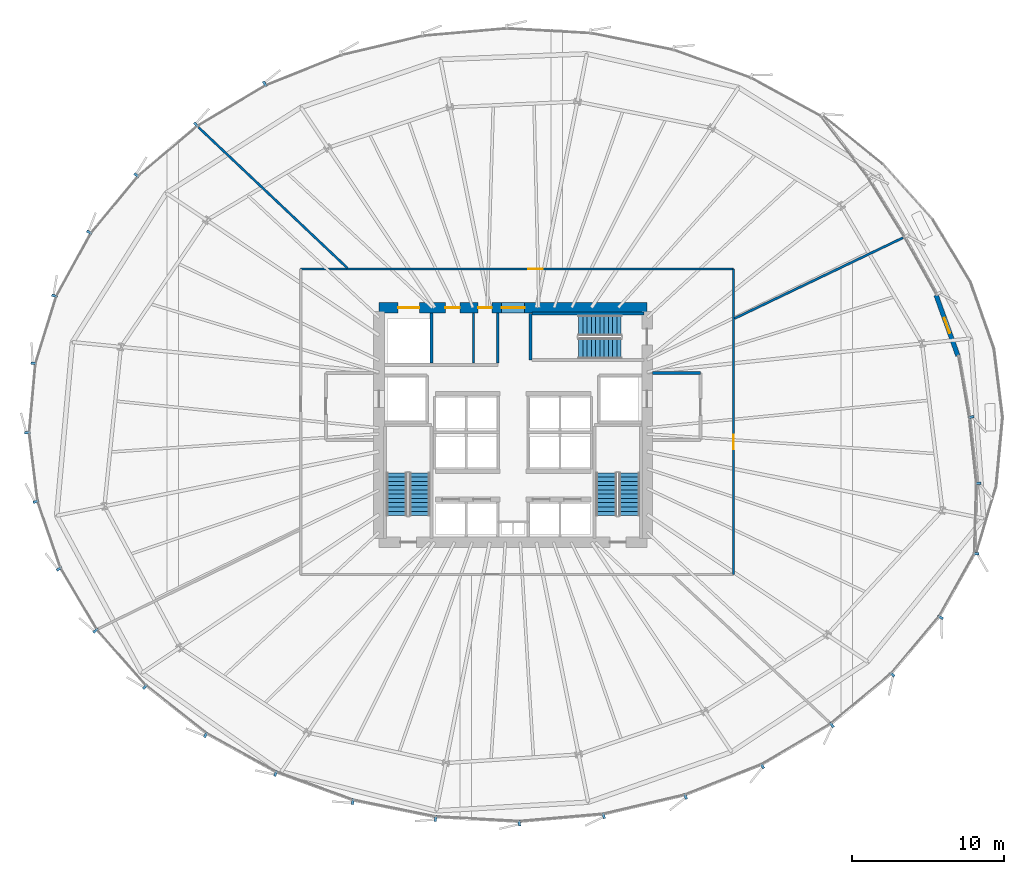
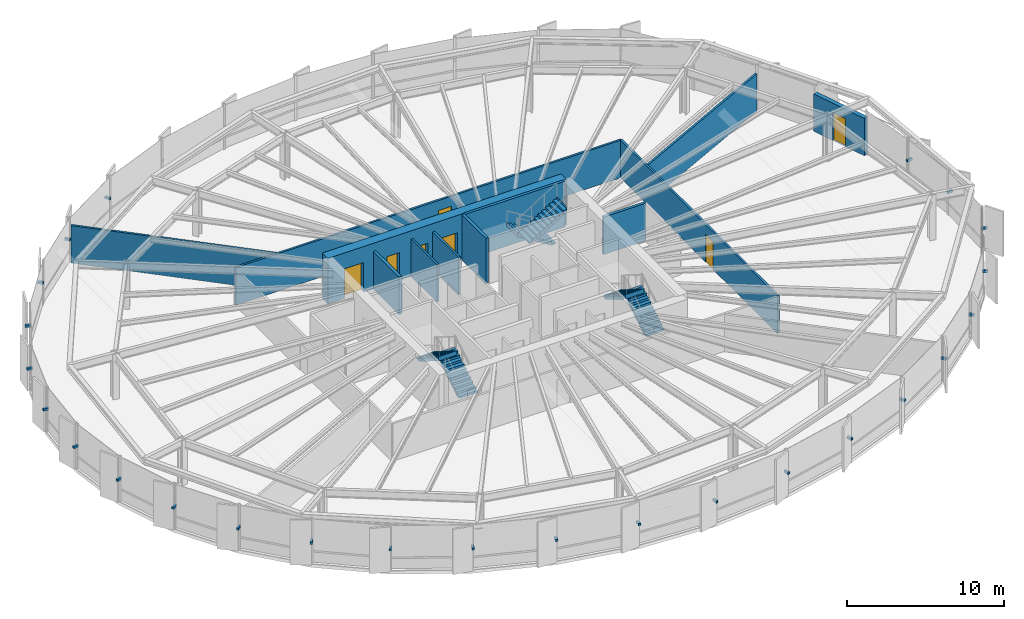
# One storey, part 32 of 39: 25 discrete accessories, 12 walls, 7 doors, 6 stair flights, 7 openings, 3 elements without a shape of their own.
"""IFC4 building model written with IfcOpenShell, lengths in metres."""

from ifc_helpers import new_model, si_unit, direction, frame, frame_2d, origin, origin_2d, place, context, subcontext, project, spatial, polyline, rectangle, outline, extrude, source, transform, mapped, material, layer, layer_set, type_object, element, fill, aggregate, save


model = new_model("IFC4")

# Units and contexts
model_context = context("Model", 3, precision=1e-05, world=origin(), true_north=direction((0.0, 1.0)))
body_context = subcontext(model_context, "Body", "Model", "MODEL_VIEW")
ifc_project = project(units=[si_unit("LENGTHUNIT", "METRE"), si_unit("AREAUNIT", "SQUARE_METRE"), si_unit("VOLUMEUNIT", "CUBIC_METRE"), si_unit("PLANEANGLEUNIT", "RADIAN"), si_unit("MASSUNIT", "GRAM", prefix="KILO"), si_unit("THERMODYNAMICTEMPERATUREUNIT", "KELVIN")], contexts=[model_context])

# Site, building, storey
site_placement = place(None, origin())
site = spatial("IfcSite", under=ifc_project, at=site_placement, CompositionType="ELEMENT")
building_placement = place(site_placement, origin())
building = spatial("IfcBuilding", under=site, at=building_placement, Name="Kethvar Cultural Tower", CompositionType="ELEMENT")
storey_placement = place(building_placement, frame((0.0, 0.0, 33.39990234375)))
storey = spatial("IfcBuildingStorey", under=building, at=storey_placement, Name="L07", CompositionType="ELEMENT", Elevation=33.39990234375)

# Wall, openings, doors
ifc_material_1 = material(Name="Concrete C60/75", Category="concrete")
ifc_layer_1 = layer(ifc_material_1, 0.699951171875, Name="Concrete C60/75", Category="concrete")
ifc_layer_set_1 = layer_set([ifc_layer_1], Name="Concrete C60/75 (700 mm)")
wall_type_1 = type_object("IfcWallType", Name="WL-CORE-700", PredefinedType="SHEAR", material=ifc_layer_set_1)
wall_1_placement = place(storey_placement, frame((55.60009765625, 35.5, 0.0), z_axis=(0.0, 0.0, 1.0), x_axis=(-1.0, 0.0, 0.0)))
wall_1 = element("IfcWall", 1, at=wall_1_placement, inside=storey, type_object=wall_type_1, Name="L07 Core Shear Wall N", PredefinedType="SHEAR", context=body_context, shape_type="SweptSolid", body=[
    extrude(rectangle(XDim=17.60009765625, YDim=0.699951171875, at=frame_2d((8.800048828125, 0.0))), origin(), (0.0, 0.0, 1.0), 3.550048828125),
])
opening_1_placement = place(wall_1_placement, frame((8.050048828125, 0.0, 0.0)))
opening_1 = element("IfcOpeningElement", 2, at=opening_1_placement, cuts=wall_1, Name="Opening D-L07-LN", PredefinedType="OPENING", context=body_context, shape_type="SweptSolid", body=[
    extrude(rectangle(XDim=1.5, YDim=2.199951171875, at=frame_2d((0.75, 1.10009765625))), frame((0.0, 0.35986328125, 0.0), z_axis=(0.0, -1.0, 0.0), x_axis=(1.0, 0.0, 0.0)), (0.0, 0.0, 1.0), 0.719970703125),
])
opening_2_placement = place(wall_1_placement, frame((14.949951171875, 0.0, 0.0)))
opening_2 = element("IfcOpeningElement", 3, at=opening_2_placement, cuts=wall_1, Name="Opening LD-G1", PredefinedType="OPENING", context=body_context, shape_type="SweptSolid", body=[
    extrude(rectangle(XDim=1.39990234375, YDim=2.300048828125, at=frame_2d((0.699951171875, 1.14990234375))), frame((0.0, 0.35986328125, 0.0), z_axis=(0.0, -1.0, 0.0), x_axis=(1.0, 0.0, 0.0)), (0.0, 0.0, 1.0), 0.719970703125),
])
opening_3_placement = place(wall_1_placement, frame((12.300048828125, 0.0, 0.0)))
opening_3 = element("IfcOpeningElement", 4, at=opening_3_placement, cuts=wall_1, Name="Opening D-L07-W1", PredefinedType="OPENING", context=body_context, shape_type="SweptSolid", body=[
    extrude(rectangle(XDim=0.949951171875, YDim=2.14990234375, at=frame_2d((0.47509765625, 1.074951171875))), frame((0.0, 0.35986328125, 0.0), z_axis=(0.0, -1.0, 0.0), x_axis=(1.0, 0.0, 0.0)), (0.0, 0.0, 1.0), 0.719970703125),
])
opening_4_placement = place(wall_1_placement, frame((10.199951171875, 0.0, 0.0)))
opening_4 = element("IfcOpeningElement", 5, at=opening_4_placement, cuts=wall_1, Name="Opening D-L07-W2", PredefinedType="OPENING", context=body_context, shape_type="SweptSolid", body=[
    extrude(rectangle(XDim=0.89990234375, YDim=2.14990234375, at=frame_2d((0.449951171875, 1.074951171875))), frame((0.0, 0.35986328125, 0.0), z_axis=(0.0, -1.0, 0.0), x_axis=(1.0, 0.0, 0.0)), (0.0, 0.0, 1.0), 0.719970703125),
])
ifc_material_2 = material(Name="Architectural Oak Timber", Category="wood")
door_type_1 = type_object("IfcDoorType", Name="DR-DBL-FD60-1500", OperationType="DOUBLE_DOOR_SINGLE_SWING", PredefinedType="DOOR", material=ifc_material_2)
shared_shape_1 = source(origin(), body_context, "Body", "SweptSolid", [
    extrude(rectangle(XDim=1.5, YDim=2.199951171875, at=frame_2d((0.75, 1.10009765625))), frame((0.0, 0.02490234375, 0.0), z_axis=(0.0, -1.0, 0.0), x_axis=(1.0, 0.0, 0.0)), (0.0, 0.0, 1.0), 0.050048828125),
])
door_1_placement = place(opening_1_placement, origin())
door_1 = element("IfcDoor", 6, at=door_1_placement, inside=storey, type_object=door_type_1, Name="L07 Lift Lobby Concourse Door", OperationType="DOUBLE_DOOR_SINGLE_SWING", OverallHeight=2.199951171875, OverallWidth=1.5, PredefinedType="DOOR", context=body_context, shape_type="MappedRepresentation", body=[
    mapped(shared_shape_1, transform((0.0, 0.0, 0.0), scale=1.0)),
])
fill(opening_1, door_1)
ifc_material_3 = material(Name="Steel S355J2", Category="steel")
door_type_2 = type_object("IfcDoorType", Name="DR-LIFT-SLIDE-1400", OperationType="NOTDEFINED", PredefinedType="DOOR", material=ifc_material_3)
shared_shape_2 = source(origin(), body_context, "Body", "SweptSolid", [
    extrude(rectangle(XDim=1.39990234375, YDim=2.300048828125, at=frame_2d((0.699951171875, 1.14990234375))), frame((0.0, 0.02490234375, 0.0), z_axis=(0.0, -1.0, 0.0), x_axis=(1.0, 0.0, 0.0)), (0.0, 0.0, 1.0), 0.050048828125),
])
door_2_placement = place(opening_2_placement, origin())
door_2 = element("IfcDoor", 7, at=door_2_placement, inside=storey, type_object=door_type_2, Name="L07 Goods Lift Landing Door", OperationType="SLIDING_TO_RIGHT", OverallHeight=2.300048828125, OverallWidth=1.39990234375, PredefinedType="DOOR", context=body_context, shape_type="MappedRepresentation", body=[
    mapped(shared_shape_2, transform((0.0, 0.0, 0.0), scale=1.0)),
])
fill(opening_2, door_2)
door_type_3 = type_object("IfcDoorType", Name="DR-FD30-950", OperationType="NOTDEFINED", PredefinedType="DOOR", material=ifc_material_2)
shared_shape_3 = source(origin(), body_context, "Body", "SweptSolid", [
    extrude(rectangle(XDim=0.949951171875, YDim=2.14990234375, at=frame_2d((0.47509765625, 1.074951171875))), frame((0.0, 0.02490234375, 0.0), z_axis=(0.0, -1.0, 0.0), x_axis=(1.0, 0.0, 0.0)), (0.0, 0.0, 1.0), 0.050048828125),
])
door_3_placement = place(opening_3_placement, origin())
door_3 = element("IfcDoor", 8, at=door_3_placement, inside=storey, type_object=door_type_3, Name="L07 Public Washroom Door", OperationType="SINGLE_SWING_LEFT", OverallHeight=2.14990234375, OverallWidth=0.949951171875, PredefinedType="DOOR", context=body_context, shape_type="MappedRepresentation", body=[
    mapped(shared_shape_3, transform((0.0, 0.0, 0.0), scale=1.0)),
])
fill(opening_3, door_3)
door_type_4 = type_object("IfcDoorType", Name="DR-FD30-900", OperationType="NOTDEFINED", PredefinedType="DOOR", material=ifc_material_2)
shared_shape_4 = source(origin(), body_context, "Body", "SweptSolid", [
    extrude(rectangle(XDim=0.89990234375, YDim=2.14990234375, at=frame_2d((0.449951171875, 1.074951171875))), frame((0.0, 0.02490234375, 0.0), z_axis=(0.0, -1.0, 0.0), x_axis=(1.0, 0.0, 0.0)), (0.0, 0.0, 1.0), 0.050048828125),
])
door_4_placement = place(opening_4_placement, origin())
door_4 = element("IfcDoor", 9, at=door_4_placement, inside=storey, type_object=door_type_4, Name="L07 Accessible Washroom Door", OperationType="SINGLE_SWING_RIGHT", OverallHeight=2.14990234375, OverallWidth=0.89990234375, PredefinedType="DOOR", context=body_context, shape_type="MappedRepresentation", body=[
    mapped(shared_shape_4, transform((0.0, 0.0, 0.0), scale=1.0)),
])
fill(opening_4, door_4)

# Wall, opening, door
ifc_material_4 = material(Name="Concrete C40/50", Category="concrete")
ifc_layer_2 = layer(ifc_material_4, 0.300048828125, Name="Concrete C40/50", Category="concrete")
ifc_layer_set_2 = layer_set([ifc_layer_2], Name="Concrete C40/50 (300 mm)")
wall_type_2 = type_object("IfcWallType", Name="WL-EXT-TER-300", PredefinedType="SOLIDWALL", material=ifc_layer_set_2)
wall_2_placement = place(storey_placement, frame((74.57470703125, 36.32275390625, 0.0), z_axis=(0.0, 0.0, 1.0), x_axis=(0.338388639347, -0.941006444591, 0.0)))
wall_2 = element("IfcWall", 10, at=wall_2_placement, inside=storey, type_object=wall_type_2, Name="L07 Sky Terrace Access Wall", PredefinedType="SOLIDWALL", context=body_context, shape_type="SweptSolid", body=[
    extrude(rectangle(XDim=4.233642578125, YDim=0.300048828125, at=frame_2d((2.11669921875, 0.0))), origin(), (0.0, 0.0, 1.0), 2.925048828125),
])
opening_5_placement = place(wall_2_placement, frame((1.591796875, 0.0, 0.0)))
opening_5 = element("IfcOpeningElement", 11, at=opening_5_placement, cuts=wall_2, Name="Opening D-L07-T1", PredefinedType="OPENING", context=body_context, shape_type="SweptSolid", body=[
    extrude(rectangle(XDim=1.050048828125, YDim=2.199951171875, at=frame_2d((0.52490234375, 1.10009765625))), frame((0.0, 0.159912109375, 0.0), z_axis=(0.0, -1.0, 0.0), x_axis=(1.0, 0.0, 0.0)), (0.0, 0.0, 1.0), 0.320068359375),
])
ifc_material_5 = material(Name="Aluminium 6063-T6", Category="aluminium")
door_type_5 = type_object("IfcDoorType", Name="DR-EXT-TER-1050", OperationType="NOTDEFINED", PredefinedType="DOOR", material=ifc_material_5)
shared_shape_5 = source(origin(), body_context, "Body", "SweptSolid", [
    extrude(rectangle(XDim=1.050048828125, YDim=2.199951171875, at=frame_2d((0.52490234375, 1.10009765625))), frame((0.0, 0.02490234375, 0.0), z_axis=(0.0, -1.0, 0.0), x_axis=(1.0, 0.0, 0.0)), (0.0, 0.0, 1.0), 0.050048828125),
])
door_5_placement = place(opening_5_placement, origin())
door_5 = element("IfcDoor", 12, at=door_5_placement, inside=storey, type_object=door_type_5, Name="L07 Sky Terrace Access Door D-L07-T1", OperationType="SINGLE_SWING_RIGHT", OverallHeight=2.199951171875, OverallWidth=1.050048828125, PredefinedType="DOOR", context=body_context, shape_type="MappedRepresentation", body=[
    mapped(shared_shape_5, transform((0.0, 0.0, 0.0), scale=1.0)),
])
fill(opening_5, door_5)

# Wall
ifc_material_6 = material(Name="Gypsum Fireboard Partition")
ifc_layer_3 = layer(ifc_material_6, 0.14990234375, Name="Gypsum Fireboard Partition")
ifc_layer_set_3 = layer_set([ifc_layer_3], Name="Gypsum Fireboard Partition (150 mm)")
wall_type_3 = type_object("IfcWallType", Name="WL-FIRE-150", PredefinedType="PARTITIONING", material=ifc_layer_set_3)
wall_3_placement = place(storey_placement, frame((45.800048828125, 31.85009765625, 0.0), z_axis=(0.0, 0.0, 1.0), x_axis=(0.0, 1.0, 0.0)))
element("IfcWall", 13, at=wall_3_placement, inside=storey, type_object=wall_type_3, Name="L07 Sanitary Spine Wall", PredefinedType="PARTITIONING", context=body_context, shape_type="SweptSolid", body=[
    extrude(rectangle(XDim=3.289794921875, YDim=0.14990234375, at=frame_2d((1.64501953125, 0.0))), origin(), (0.0, 0.0, 1.0), 2.925048828125),
])

# Wall, opening, door
wall_4_placement = place(storey_placement, frame((61.27001953125, 17.97998046875, 0.0), z_axis=(0.0, 0.0, 1.0), x_axis=(0.0, 1.0, 0.0)))
wall_4 = element("IfcWall", 14, at=wall_4_placement, inside=storey, type_object=wall_type_3, Name="L07 Corridor Rated Wall E", PredefinedType="PARTITIONING", context=body_context, shape_type="SweptSolid", body=[
    extrude(rectangle(XDim=20.06005859375, YDim=0.14990234375, at=frame_2d((10.030029296875, 0.0))), origin(), (0.0, 0.0, 1.0), 2.925048828125),
])
opening_6_placement = place(wall_4_placement, frame((8.217041015625, 0.0, 0.0)))
opening_6 = element("IfcOpeningElement", 15, at=opening_6_placement, cuts=wall_4, Name="Opening D-L07-02", PredefinedType="OPENING", context=body_context, shape_type="SweptSolid", body=[
    extrude(rectangle(XDim=0.949951171875, YDim=2.14990234375, at=frame_2d((0.47509765625, 1.074951171875))), frame((0.0, 0.0849609375, 0.0), z_axis=(0.0, -1.0, 0.0), x_axis=(1.0, 0.0, 0.0)), (0.0, 0.0, 1.0), 0.169921875),
])
door_6_placement = place(opening_6_placement, origin())
door_6 = element("IfcDoor", 16, at=door_6_placement, inside=storey, type_object=door_type_3, Name="L07 Sculpture Media Salon 02 Door", OperationType="SINGLE_SWING_LEFT", OverallHeight=2.14990234375, OverallWidth=0.949951171875, PredefinedType="DOOR", context=body_context, shape_type="MappedRepresentation", body=[
    mapped(shared_shape_3, transform((0.0, 0.0, 0.0), scale=1.0)),
])
fill(opening_6, door_6)

wall_5_placement = place(storey_placement, frame((61.27001953125, 38.0400390625, 0.0), z_axis=(0.0, 0.0, 1.0), x_axis=(-1.0, 0.0, 0.0)))
wall_5 = element("IfcWall", 17, at=wall_5_placement, inside=storey, type_object=wall_type_3, Name="L07 Corridor Rated Wall N", PredefinedType="PARTITIONING", context=body_context, shape_type="SweptSolid", body=[
    extrude(rectangle(XDim=28.419921875, YDim=0.14990234375, at=frame_2d((14.2099609375, 0.0))), origin(), (0.0, 0.0, 1.0), 2.925048828125),
])
opening_7_placement = place(wall_5_placement, frame((12.521728515625, 0.0, 0.0)))
opening_7 = element("IfcOpeningElement", 18, at=opening_7_placement, cuts=wall_5, Name="Opening D-L07-03", PredefinedType="OPENING", context=body_context, shape_type="SweptSolid", body=[
    extrude(rectangle(XDim=0.949951171875, YDim=2.14990234375, at=frame_2d((0.47509765625, 1.074951171875))), frame((0.0, 0.0849609375, 0.0), z_axis=(0.0, -1.0, 0.0), x_axis=(1.0, 0.0, 0.0)), (0.0, 0.0, 1.0), 0.169921875),
])
door_7_placement = place(opening_7_placement, origin())
door_7 = element("IfcDoor", 19, at=door_7_placement, inside=storey, type_object=door_type_3, Name="L07 Collection Archive Storage 03 Door", OperationType="SINGLE_SWING_RIGHT", OverallHeight=2.14990234375, OverallWidth=0.949951171875, PredefinedType="DOOR", context=body_context, shape_type="MappedRepresentation", body=[
    mapped(shared_shape_3, transform((0.0, 0.0, 0.0), scale=1.0)),
])
fill(opening_7, door_7)

# Walls
ifc_layer_4 = layer(ifc_material_4, 0.199951171875, Name="Concrete C40/50", Category="concrete")
ifc_layer_set_4 = layer_set([ifc_layer_4], Name="Concrete C40/50 (200 mm)")
wall_type_4 = type_object("IfcWallType", Name="WL-FIRE-200", PredefinedType="PARTITIONING", material=ifc_layer_set_4)
wall_6_placement = place(storey_placement, frame((55.9599609375, 31.199951171875, 0.0), z_axis=(0.0, 0.0, 1.0), x_axis=(1.0, 0.0, 0.0)))
element("IfcWall", 20, at=wall_6_placement, inside=storey, type_object=wall_type_4, Name="L07 FF Lobby 2 North Wall", PredefinedType="PARTITIONING", context=body_context, shape_type="SweptSolid", body=[
    extrude(rectangle(XDim=3.14013671875, YDim=0.199951171875, at=frame_2d((1.570068359375, 0.0))), origin(), (0.0, 0.0, 1.0), 2.925048828125),
])
wall_7_placement = place(storey_placement, frame((41.449951171875, 31.85009765625, 0.0), z_axis=(0.0, 0.0, 1.0), x_axis=(0.0, 1.0, 0.0)))
element("IfcWall", 21, at=wall_7_placement, inside=storey, type_object=wall_type_4, Name="L07 NW Core Pocket Wall", PredefinedType="PARTITIONING", context=body_context, shape_type="SweptSolid", body=[
    extrude(rectangle(XDim=3.289794921875, YDim=0.199951171875, at=frame_2d((1.64501953125, 0.0))), origin(), (0.0, 0.0, 1.0), 2.925048828125),
])
ifc_material_7 = material(Name="Gypsum Acoustic Partition")
ifc_layer_5 = layer(ifc_material_7, 0.14990234375, Name="Gypsum Acoustic Partition")
ifc_layer_set_5 = layer_set([ifc_layer_5], Name="Gypsum Acoustic Partition (150 mm)")
wall_type_5 = type_object("IfcWallType", Name="WL-PART-150", PredefinedType="PARTITIONING", material=ifc_layer_set_5)
wall_8_placement = place(storey_placement, frame((61.342041015625, 34.7880859375, 0.0), z_axis=(0.0, 0.0, 1.0), x_axis=(0.901775597837, 0.432204547808, 0.0)))
element("IfcWall", 22, at=wall_8_placement, inside=storey, type_object=wall_type_5, Name="L07 Radial Partition Wall 03", PredefinedType="PARTITIONING", context=body_context, shape_type="SweptSolid", body=[
    extrude(rectangle(XDim=12.257080078125, YDim=0.14990234375, at=frame_2d((6.12841796875, 0.0))), origin(), (0.0, 0.0, 1.0), 2.925048828125),
])
wall_9_placement = place(storey_placement, frame((35.92578125, 38.094970703125, 0.0), z_axis=(0.0, 0.0, 1.0), x_axis=(-0.726850560668, 0.686795648251, 0.0)))
element("IfcWall", 23, at=wall_9_placement, inside=storey, type_object=wall_type_5, Name="L07 Radial Partition Wall 04", PredefinedType="PARTITIONING", context=body_context, shape_type="SweptSolid", body=[
    extrude(rectangle(XDim=13.451904296875, YDim=0.14990234375, at=frame_2d((6.72607421875, 0.0))), origin(), (0.0, 0.0, 1.0), 2.925048828125),
])
ifc_material_8 = material(Name="Moisture-Resistant Sanitary Chase Wall")
ifc_layer_6 = layer(ifc_material_8, 0.14990234375, Name="Moisture-Resistant Sanitary Chase Wall")
ifc_layer_set_6 = layer_set([ifc_layer_6], Name="Moisture-Resistant Sanitary Chase Wall (150 mm)")
wall_type_6 = type_object("IfcWallType", Name="WL-PLUMB-150", PredefinedType="PLUMBINGWALL", material=ifc_layer_set_6)
wall_10_placement = place(storey_placement, frame((44.199951171875, 31.85009765625, 0.0), z_axis=(0.0, 0.0, 1.0), x_axis=(0.0, 1.0, 0.0)))
element("IfcWall", 24, at=wall_10_placement, inside=storey, type_object=wall_type_6, Name="L07 Sanitary Plumbing Wall", PredefinedType="PLUMBINGWALL", context=body_context, shape_type="SweptSolid", body=[
    extrude(rectangle(XDim=3.289794921875, YDim=0.14990234375, at=frame_2d((1.64501953125, 0.0))), origin(), (0.0, 0.0, 1.0), 2.925048828125),
])
ifc_material_9 = material(Name="Concrete C50/60", Category="concrete")
ifc_layer_7 = layer(ifc_material_9, 0.199951171875, Name="Concrete C50/60", Category="concrete")
ifc_layer_set_7 = layer_set([ifc_layer_7], Name="Concrete C50/60 (200 mm)")
wall_type_7 = type_object("IfcWallType", Name="WL-STSHAFT-200", PredefinedType="SHEAR", material=ifc_layer_set_7)
wall_11_placement = place(storey_placement, frame((47.949951171875, 32.050048828125, 0.0), z_axis=(0.0, 0.0, 1.0), x_axis=(0.0, 1.0, 0.0)))
element("IfcWall", 25, at=wall_11_placement, inside=storey, type_object=wall_type_7, Name="L07 ST-03 Stair Shaft Wall FAR", PredefinedType="SHEAR", context=body_context, shape_type="SweptSolid", body=[
    extrude(rectangle(XDim=3.06005859375, YDim=0.199951171875, at=frame_2d((1.530029296875, 0.0))), origin(), (0.0, 0.0, 1.0), 3.550048828125),
])
wall_12_placement = place(storey_placement, frame((48.050048828125, 35.110107421875, 0.0), z_axis=(0.0, 0.0, 1.0), x_axis=(1.0, 0.0, 0.0)))
element("IfcWall", 26, at=wall_12_placement, inside=storey, type_object=wall_type_7, Name="L07 ST-03 Stair Shaft Wall LEFT", PredefinedType="SHEAR", context=body_context, shape_type="SweptSolid", body=[
    extrude(rectangle(XDim=7.349853515625, YDim=0.199951171875, at=frame_2d((3.6748046875, 0.0))), origin(), (0.0, 0.0, 1.0), 3.550048828125),
])

# Stair, stair flights
stair_type = type_object("IfcStairType", Name="ST-DOGLEG-135", PredefinedType="HALF_TURN_STAIR", material=ifc_material_4)
stair_1_placement = place(storey_placement, origin())
stair_1 = element("IfcStair", 27, at=stair_1_placement, inside=storey, type_object=stair_type, Name="L07 Core Exit Stair 1", PredefinedType="HALF_TURN_STAIR")
stair_flight_type = type_object("IfcStairFlightType", Name="FL-STRAIGHT-135", PredefinedType="STRAIGHT", material=ifc_material_4)
stair_flight_1_placement = place(storey_placement, frame((40.675048828125, 21.85009765625, 0.0), z_axis=(0.0, 0.0, 1.0), x_axis=(0.0, 1.0, 0.0)))
stair_flight_1 = element("IfcStairFlight", 28, at=stair_flight_1_placement, type_object=stair_flight_type, Name="ST-01 flight 1", NumberOfRisers=11, NumberOfTreads=10, PredefinedType="STRAIGHT", RiserHeight=0.172727273, TreadLength=0.28, context=body_context, shape_type="SweptSolid", body=[
    extrude(outline(polyline([(-0.0009765625, -0.0009765625), (-0.0009765625, 0.172607421875), (0.280029296875, 0.172607421875), (0.280029296875, 0.345458984375), (0.56005859375, 0.345458984375), (0.56005859375, 0.51806640625), (0.840087890625, 0.51806640625), (0.840087890625, 0.69091796875), (1.1201171875, 0.69091796875), (1.1201171875, 0.863525390625), (1.39990234375, 0.863525390625), (1.39990234375, 1.036376953125), (1.679931640625, 1.036376953125), (1.679931640625, 1.208984375), (1.9599609375, 1.208984375), (1.9599609375, 1.3818359375), (2.239990234375, 1.3818359375), (2.239990234375, 1.554443359375), (2.52001953125, 1.554443359375), (2.52001953125, 1.727294921875), (2.800048828125, 1.727294921875), (2.800048828125, 1.89990234375), (2.801025390625, 1.89990234375), (2.801025390625, 1.551025390625), (0.285400390625, 0.0), (0.0, -0.0009765625), (-0.0009765625, -0.0009765625)])), frame((0.0, 0.675048828125, 0.0), z_axis=(0.0, -1.0, 0.0), x_axis=(1.0, 0.0, 0.0)), (0.0, 0.0, 1.0), 1.35009765625),
])
stair_flight_2_placement = place(storey_placement, frame((39.1650390625, 24.64990234375, 1.900146484375), z_axis=(0.0, 0.0, 1.0), x_axis=(0.0, -1.0, 0.0)))
stair_flight_2 = element("IfcStairFlight", 29, at=stair_flight_2_placement, type_object=stair_flight_type, Name="ST-01 flight 2", NumberOfRisers=11, NumberOfTreads=10, PredefinedType="STRAIGHT", RiserHeight=0.172727273, TreadLength=0.28, context=body_context, shape_type="SweptSolid", body=[
    extrude(outline(polyline([(-0.0009765625, -0.0009765625), (-0.0009765625, 0.172607421875), (0.280029296875, 0.172607421875), (0.280029296875, 0.345458984375), (0.56005859375, 0.345458984375), (0.56005859375, 0.51806640625), (0.840087890625, 0.51806640625), (0.840087890625, 0.69091796875), (1.1201171875, 0.69091796875), (1.1201171875, 0.863525390625), (1.39990234375, 0.863525390625), (1.39990234375, 1.036376953125), (1.679931640625, 1.036376953125), (1.679931640625, 1.208984375), (1.9599609375, 1.208984375), (1.9599609375, 1.3818359375), (2.239990234375, 1.3818359375), (2.239990234375, 1.554443359375), (2.52001953125, 1.554443359375), (2.52001953125, 1.727294921875), (2.800048828125, 1.727294921875), (2.800048828125, 1.89990234375), (2.801025390625, 1.89990234375), (2.801025390625, 1.551025390625), (0.285400390625, 0.0), (0.0, -0.0009765625), (-0.0009765625, -0.0009765625)])), frame((0.0, 0.675048828125, 0.0), z_axis=(0.0, -1.0, 0.0), x_axis=(1.0, 0.0, 0.0)), (0.0, 0.0, 1.0), 1.35009765625),
])
aggregate(stair_1, [stair_flight_1, stair_flight_2])

stair_2_placement = place(storey_placement, origin())
stair_2 = element("IfcStair", 30, at=stair_2_placement, inside=storey, type_object=stair_type, Name="L07 Core Exit Stair 2", PredefinedType="HALF_TURN_STAIR")
stair_flight_3_placement = place(storey_placement, frame((54.43505859375, 21.85009765625, 0.0), z_axis=(0.0, 0.0, 1.0), x_axis=(0.0, 1.0, 0.0)))
stair_flight_3 = element("IfcStairFlight", 31, at=stair_flight_3_placement, type_object=stair_flight_type, Name="ST-02 flight 1", NumberOfRisers=11, NumberOfTreads=10, PredefinedType="STRAIGHT", RiserHeight=0.172727273, TreadLength=0.28, context=body_context, shape_type="SweptSolid", body=[
    extrude(outline(polyline([(-0.0009765625, -0.0009765625), (-0.0009765625, 0.172607421875), (0.280029296875, 0.172607421875), (0.280029296875, 0.345458984375), (0.56005859375, 0.345458984375), (0.56005859375, 0.51806640625), (0.840087890625, 0.51806640625), (0.840087890625, 0.69091796875), (1.1201171875, 0.69091796875), (1.1201171875, 0.863525390625), (1.39990234375, 0.863525390625), (1.39990234375, 1.036376953125), (1.679931640625, 1.036376953125), (1.679931640625, 1.208984375), (1.9599609375, 1.208984375), (1.9599609375, 1.3818359375), (2.239990234375, 1.3818359375), (2.239990234375, 1.554443359375), (2.52001953125, 1.554443359375), (2.52001953125, 1.727294921875), (2.800048828125, 1.727294921875), (2.800048828125, 1.89990234375), (2.801025390625, 1.89990234375), (2.801025390625, 1.551025390625), (0.285400390625, 0.0), (0.0, -0.0009765625), (-0.0009765625, -0.0009765625)])), frame((0.0, 0.675048828125, 0.0), z_axis=(0.0, -1.0, 0.0), x_axis=(1.0, 0.0, 0.0)), (0.0, 0.0, 1.0), 1.35009765625),
])
stair_flight_4_placement = place(storey_placement, frame((52.925048828125, 24.64990234375, 1.900146484375), z_axis=(0.0, 0.0, 1.0), x_axis=(0.0, -1.0, 0.0)))
stair_flight_4 = element("IfcStairFlight", 32, at=stair_flight_4_placement, type_object=stair_flight_type, Name="ST-02 flight 2", NumberOfRisers=11, NumberOfTreads=10, PredefinedType="STRAIGHT", RiserHeight=0.172727273, TreadLength=0.28, context=body_context, shape_type="SweptSolid", body=[
    extrude(outline(polyline([(-0.0009765625, -0.0009765625), (-0.0009765625, 0.172607421875), (0.280029296875, 0.172607421875), (0.280029296875, 0.345458984375), (0.56005859375, 0.345458984375), (0.56005859375, 0.51806640625), (0.840087890625, 0.51806640625), (0.840087890625, 0.69091796875), (1.1201171875, 0.69091796875), (1.1201171875, 0.863525390625), (1.39990234375, 0.863525390625), (1.39990234375, 1.036376953125), (1.679931640625, 1.036376953125), (1.679931640625, 1.208984375), (1.9599609375, 1.208984375), (1.9599609375, 1.3818359375), (2.239990234375, 1.3818359375), (2.239990234375, 1.554443359375), (2.52001953125, 1.554443359375), (2.52001953125, 1.727294921875), (2.800048828125, 1.727294921875), (2.800048828125, 1.89990234375), (2.801025390625, 1.89990234375), (2.801025390625, 1.551025390625), (0.285400390625, 0.0), (0.0, -0.0009765625), (-0.0009765625, -0.0009765625)])), frame((0.0, 0.675048828125, 0.0), z_axis=(0.0, -1.0, 0.0), x_axis=(1.0, 0.0, 0.0)), (0.0, 0.0, 1.0), 1.35009765625),
])
aggregate(stair_2, [stair_flight_3, stair_flight_4])

stair_3_placement = place(storey_placement, origin())
stair_3 = element("IfcStair", 33, at=stair_3_placement, inside=storey, type_object=stair_type, Name="L07 Core Exit Stair 3", PredefinedType="HALF_TURN_STAIR")
stair_flight_5_placement = place(storey_placement, frame((53.89990234375, 34.3349609375, 0.0), z_axis=(0.0, 0.0, 1.0), x_axis=(-1.0, 0.0, 0.0)))
stair_flight_5 = element("IfcStairFlight", 34, at=stair_flight_5_placement, type_object=stair_flight_type, Name="ST-03 flight 1", NumberOfRisers=11, NumberOfTreads=10, PredefinedType="STRAIGHT", RiserHeight=0.172727273, TreadLength=0.28, context=body_context, shape_type="SweptSolid", body=[
    extrude(outline(polyline([(-0.0009765625, -0.0009765625), (-0.0009765625, 0.172607421875), (0.280029296875, 0.172607421875), (0.280029296875, 0.345458984375), (0.56005859375, 0.345458984375), (0.56005859375, 0.51806640625), (0.840087890625, 0.51806640625), (0.840087890625, 0.69091796875), (1.1201171875, 0.69091796875), (1.1201171875, 0.863525390625), (1.39990234375, 0.863525390625), (1.39990234375, 1.036376953125), (1.679931640625, 1.036376953125), (1.679931640625, 1.208984375), (1.9599609375, 1.208984375), (1.9599609375, 1.3818359375), (2.239990234375, 1.3818359375), (2.239990234375, 1.554443359375), (2.52001953125, 1.554443359375), (2.52001953125, 1.727294921875), (2.800048828125, 1.727294921875), (2.800048828125, 1.89990234375), (2.801025390625, 1.89990234375), (2.801025390625, 1.551025390625), (0.285400390625, 0.0), (0.0, -0.0009765625), (-0.0009765625, -0.0009765625)])), frame((0.0, 0.675048828125, 0.0), z_axis=(0.0, -1.0, 0.0), x_axis=(1.0, 0.0, 0.0)), (0.0, 0.0, 1.0), 1.35009765625),
])
stair_flight_6_placement = place(storey_placement, frame((51.10009765625, 32.824951171875, 1.900146484375), z_axis=(0.0, 0.0, 1.0), x_axis=(1.0, 0.0, 0.0)))
stair_flight_6 = element("IfcStairFlight", 35, at=stair_flight_6_placement, type_object=stair_flight_type, Name="ST-03 flight 2", NumberOfRisers=11, NumberOfTreads=10, PredefinedType="STRAIGHT", RiserHeight=0.172727273, TreadLength=0.28, context=body_context, shape_type="SweptSolid", body=[
    extrude(outline(polyline([(-0.0009765625, -0.0009765625), (-0.0009765625, 0.172607421875), (0.280029296875, 0.172607421875), (0.280029296875, 0.345458984375), (0.56005859375, 0.345458984375), (0.56005859375, 0.51806640625), (0.840087890625, 0.51806640625), (0.840087890625, 0.69091796875), (1.1201171875, 0.69091796875), (1.1201171875, 0.863525390625), (1.39990234375, 0.863525390625), (1.39990234375, 1.036376953125), (1.679931640625, 1.036376953125), (1.679931640625, 1.208984375), (1.9599609375, 1.208984375), (1.9599609375, 1.3818359375), (2.239990234375, 1.3818359375), (2.239990234375, 1.554443359375), (2.52001953125, 1.554443359375), (2.52001953125, 1.727294921875), (2.800048828125, 1.727294921875), (2.800048828125, 1.89990234375), (2.801025390625, 1.89990234375), (2.801025390625, 1.551025390625), (0.285400390625, 0.0), (0.0, -0.0009765625), (-0.0009765625, -0.0009765625)])), frame((0.0, 0.675048828125, 0.0), z_axis=(0.0, -1.0, 0.0), x_axis=(1.0, 0.0, 0.0)), (0.0, 0.0, 1.0), 1.35009765625),
])
aggregate(stair_3, [stair_flight_5, stair_flight_6])

# Discrete accessories
discrete_accessory_type = type_object("IfcDiscreteAccessoryType", Name="Steel Fin Bracket BRK-01", PredefinedType="BRACKET", material=ifc_material_3)
shared_shape_6 = source(origin(), body_context, "Body", "SweptSolid", [
    extrude(rectangle(XDim=0.3798828125, YDim=0.159912109375, at=origin_2d()), origin(), (0.0, 0.0, 1.0), 0.179931640625),
])
for number, where, z_axis, x_axis, name in (
    (36, (76.875244140625, 28.315673828125, 1.68505859375), (0.0, 0.0, 1.0), (0.985288829708, 0.170897402123, 0.0), "L07 Terracotta Fin Bracket 1.1"),
    (37, (30.4970703125, 50.1943359375, 1.68505859375), (0.0, 0.0, 1.0), (-0.511443073004, 0.859317160934, 0.0), "L07 Terracotta Fin Bracket 3.5"),
    (38, (25.984130859375, 47.508544921875, 1.68505859375), (0.0, 0.0, 1.0), (-0.645990760607, 0.763345228065, 0.0), "L07 Terracotta Fin Bracket 3.6"),
    (39, (22.076416015625, 44.19140625, 1.68505859375), (0.0, 0.0, 1.0), (-0.770513242776, 0.637423989749, 0.0), "L07 Terracotta Fin Bracket 4.1"),
    (40, (18.97314453125, 40.43994140625, 1.68505859375), (0.0, 0.0, 1.0), (-0.876894599045, 0.480682704252, 0.0), "L07 Terracotta Fin Bracket 4.2"),
    (41, (16.6884765625, 36.27197265625, 1.68505859375), (0.0, 0.0, 1.0), (-0.955278362122, 0.295708050044, 0.0), "L07 Terracotta Fin Bracket 4.3"),
    (42, (15.318603515625, 31.846435546875, 1.68505859375), (0.0, 0.0, 1.0), (-0.995900201817, 0.090458764201, 0.0), "L07 Terracotta Fin Bracket 4.4"),
    (43, (14.90576171875, 27.2978515625, 1.68505859375), (0.0, 0.0, 1.0), (-0.992567406737, -0.121696109567, 0.0), "L07 Terracotta Fin Bracket 4.5"),
    (44, (15.4619140625, 22.7646484375, 1.68505859375), (0.0, 0.0, 1.0), (-0.945518575599, -0.325568154457, 0.0), "L07 Terracotta Fin Bracket 4.6"),
    (45, (16.99169921875, 18.34814453125, 1.68505859375), (0.0, 0.0, 1.0), (-0.861363295878, -0.507989441341, 0.0), "L07 Terracotta Fin Bracket 5.1"),
    (46, (19.385009765625, 14.29052734375, 1.68505859375), (0.0, 0.0, 1.0), (-0.75011106963, -0.661311865324, 0.0), "L07 Terracotta Fin Bracket 5.2"),
    (47, (22.6328125, 10.607421875, 1.68505859375), (0.0, 0.0, 1.0), (-0.62169475011, -0.783259623423, 0.0), "L07 Terracotta Fin Bracket 5.3"),
    (48, (26.614990234375, 7.446533203125, 1.68505859375), (0.0, 0.0, 1.0), (-0.484198902407, -0.874957954937, 0.0), "L07 Terracotta Fin Bracket 5.4"),
    (49, (31.2099609375, 4.904052734375, 1.68505859375), (0.0, 0.0, 1.0), (-0.342348137086, -0.939573175987, 0.0), "L07 Terracotta Fin Bracket 5.5"),
    (50, (36.27880859375, 3.05712890625, 1.68505859375), (0.0, 0.0, 1.0), (-0.199196902256, -0.979959485964, 0.0), "L07 Terracotta Fin Bracket 5.6"),
    (51, (41.709228515625, 1.959716796875, 1.68505859375), (0.0, 0.0, 1.0), (-0.055821504993, -0.998440764182, 0.0), "L07 Terracotta Fin Bracket 6.1"),
    (52, (47.21142578125, 1.652099609375, 1.68505859375), (0.0, 0.0, 1.0), (0.087155742748, -0.996194698092, 0.0), "L07 Terracotta Fin Bracket 6.2"),
    (53, (52.747802734375, 2.136474609375, 1.68505859375), (0.0, 0.0, 1.0), (0.229200390922, -0.97337925846, 0.0), "L07 Terracotta Fin Bracket 6.3"),
    (54, (58.11865234375, 3.400634765625, 1.68505859375), (0.0, 0.0, 1.0), (0.369422406303, -0.929261580892, 0.0), "L07 Terracotta Fin Bracket 6.4"),
    (55, (63.164794921875, 5.406494140625, 1.68505859375), (0.0, 0.0, 1.0), (0.507087145436, -0.861894788785, 0.0), "L07 Terracotta Fin Bracket 6.5"),
    (56, (67.731689453125, 8.09326171875, 1.68505859375), (0.0, 0.0, 1.0), (0.639975598965, -0.76839523211, 0.0), "L07 Terracotta Fin Bracket 6.6"),
    (57, (71.703369140625, 11.4111328125, 1.68505859375), (0.0, 0.0, 1.0), (0.764133884775, -0.645057676599, 0.0), "L07 Terracotta Fin Bracket 7.1"),
    (58, (74.87109375, 15.163818359375, 1.68505859375), (0.0, 0.0, 1.0), (0.871983845799, -0.489534649095, 0.0), "L07 Terracotta Fin Bracket 7.2"),
    (59, (77.21142578125, 19.33544921875, 1.68505859375), (0.0, 0.0, 1.0), (0.99960522657, -0.028096103175, 0.0), "L07 Terracotta Fin Bracket 7.3"),
    (60, (77.341796875, 23.96533203125, 1.68505859375), (0.0, 0.0, 1.0), (0.994356475568, 0.106090525009, 0.0), "L07 Terracotta Fin Bracket 7.4"),
):
    element("IfcDiscreteAccessory", number, at=place(storey_placement, frame(where, z_axis=z_axis, x_axis=x_axis)), inside=storey, type_object=discrete_accessory_type, Name=name, PredefinedType="BRACKET", context=body_context, shape_type="MappedRepresentation", body=[
        mapped(shared_shape_6, transform((0.0, 0.0, 0.0), scale=1.0)),
    ])

save(model, "model.ifc")
